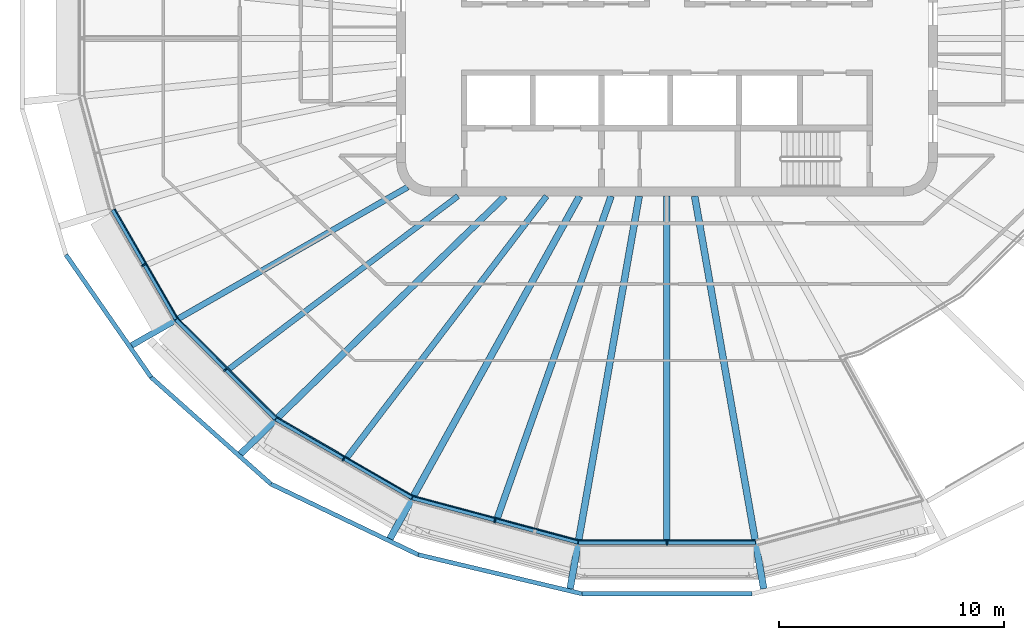
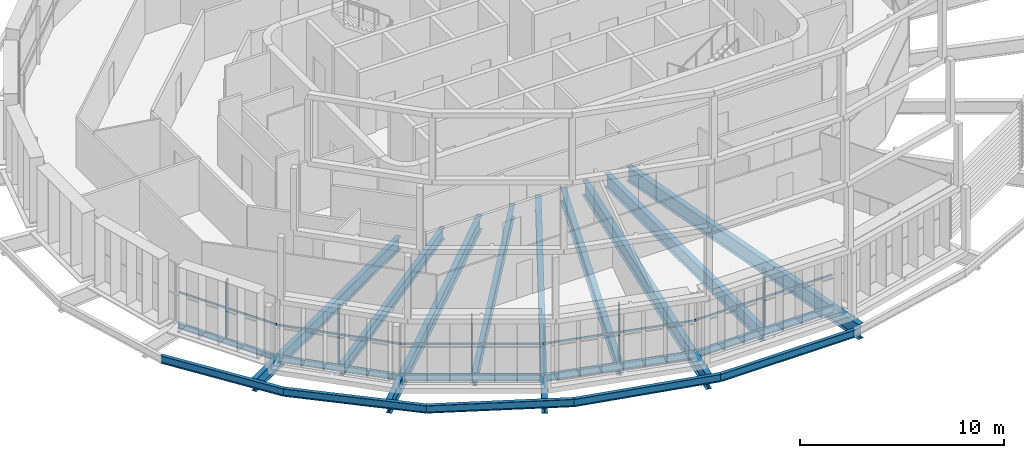
# One storey, part 1 of 18: 19 beams, 10 members, 5 elements without a shape of their own.
"""IFC4 building model written with IfcOpenShell, lengths in metres."""

from ifc_helpers import new_model, si_unit, direction, frame, origin, origin_2d, place, context, subcontext, project, spatial, rectangle, i_section, extrude, material, layer, layer_set, material_profile, profile_set, type_object, element, aggregate, save


model = new_model("IFC4")

# Units and contexts
model_context = context("Model", 3, precision=1e-05, world=origin(), true_north=direction((0.0, 1.0)))
body_context = subcontext(model_context, "Body", "Model", "MODEL_VIEW")
ifc_project = project(units=[si_unit("LENGTHUNIT", "METRE"), si_unit("AREAUNIT", "SQUARE_METRE"), si_unit("VOLUMEUNIT", "CUBIC_METRE"), si_unit("PLANEANGLEUNIT", "RADIAN"), si_unit("MASSUNIT", "GRAM", prefix="KILO")], contexts=[model_context])

# Site, building, storey
site_placement = place(None, origin())
site = spatial("IfcSite", under=ifc_project, at=site_placement, CompositionType="ELEMENT")
building_placement = place(site_placement, origin())
building = spatial("IfcBuilding", under=site, at=building_placement, Name="Sahrelin Media Tower", CompositionType="ELEMENT")
storey_placement = place(building_placement, frame((0.0, 0.0, 308.39990234375)))
storey = spatial("IfcBuildingStorey", under=building, at=storey_placement, Name="L68", CompositionType="ELEMENT", Elevation=308.39990234375)

# Beams
ifc_material_1 = material(Name="Steel S355", Category="steel")
ifc_material_profile_1 = material_profile(ifc_material_1, i_section(OverallWidth=0.1650390625, OverallDepth=0.303466796875, WebThickness=0.006103515625, FlangeThickness=0.01025390625, FilletRadius=0.0087890625, at=origin_2d()), Name="UB 305x165x40")
ifc_profile_set_1 = profile_set([ifc_material_profile_1], Name="Steel S355")
beam_type_1 = type_object("IfcBeamType", Name="Edge beam EB2", PredefinedType="BEAM", material=ifc_profile_set_1)
beam_1_placement = place(storey_placement, frame((-21.78857421875, -12.460693359375, -0.301513671875), z_axis=(-0.500004352405, 0.866022890907, 0.0), x_axis=(-0.866022890907, -0.500004352405, 0.0)))
element("IfcBeam", 1, at=beam_1_placement, inside=storey, type_object=beam_type_1, Name="Edge beam L68-07", PredefinedType="BEAM", context=body_context, shape_type="SweptSolid", body=[
    extrude(i_section(OverallWidth=0.1650390625, OverallDepth=0.303466796875, WebThickness=0.006103515625, FlangeThickness=0.01025390625, FilletRadius=0.0087890625, at=origin_2d()), origin(), (0.0, 0.0, 1.0), 5.59765625),
])
ifc_material_profile_2 = material_profile(ifc_material_1, i_section(OverallWidth=0.17138671875, OverallDepth=0.35498046875, WebThickness=0.00732421875, FlangeThickness=0.011474609375, FilletRadius=0.01025390625, at=origin_2d()), Name="UB 356x171x51")
ifc_profile_set_2 = profile_set([ifc_material_profile_2], Name="Steel S355")
beam_type_2 = type_object("IfcBeamType", Name="Edge beam EB3", PredefinedType="BEAM", material=ifc_profile_set_2)
beam_2_placement = place(storey_placement, frame((-11.31884765625, -20.382080078125, -0.327392578125), z_axis=(-0.866025013567, 0.500000675876, 0.0), x_axis=(-0.500000675876, -0.866025013567, 0.0)))
element("IfcBeam", 2, at=beam_2_placement, inside=storey, type_object=beam_type_2, Name="Edge beam L68-05", PredefinedType="BEAM", context=body_context, shape_type="SweptSolid", body=[
    extrude(i_section(OverallWidth=0.17138671875, OverallDepth=0.35498046875, WebThickness=0.00732421875, FlangeThickness=0.011474609375, FilletRadius=0.01025390625, at=origin_2d()), origin(), (0.0, 0.0, 1.0), 6.962890625),
])
beam_3_placement = place(storey_placement, frame((-17.37158203125, -16.883056640625, -0.327392578125), z_axis=(-0.707106781187, 0.707106781187, 0.0), x_axis=(-0.707106781187, -0.707106781187, 0.0)))
element("IfcBeam", 3, at=beam_3_placement, inside=storey, type_object=beam_type_2, Name="Edge beam L68-06", PredefinedType="BEAM", context=body_context, shape_type="SweptSolid", body=[
    extrude(i_section(OverallWidth=0.17138671875, OverallDepth=0.35498046875, WebThickness=0.00732421875, FlangeThickness=0.011474609375, FilletRadius=0.01025390625, at=origin_2d()), origin(), (0.0, 0.0, 1.0), 6.2216796875),
])
ifc_material_profile_3 = material_profile(ifc_material_1, i_section(OverallWidth=0.177978515625, OverallDepth=0.406494140625, WebThickness=0.0078125, FlangeThickness=0.0126953125, FilletRadius=0.01025390625, at=origin_2d()), Name="UB 406x178x60")
ifc_profile_set_3 = profile_set([ifc_material_profile_3], Name="Steel S355")
beam_type_3 = type_object("IfcBeamType", Name="Edge beam EB4", PredefinedType="BEAM", material=ifc_profile_set_3)
beam_4_placement = place(storey_placement, frame((3.92578125, -22.363037109375, -0.35302734375), z_axis=(-1.0, 0.0, 0.0), x_axis=(0.0, -1.0, 0.0)))
element("IfcBeam", 4, at=beam_4_placement, inside=storey, type_object=beam_type_3, Name="Edge beam L68-03", PredefinedType="BEAM", context=body_context, shape_type="SweptSolid", body=[
    extrude(i_section(OverallWidth=0.177978515625, OverallDepth=0.406494140625, WebThickness=0.0078125, FlangeThickness=0.0126953125, FilletRadius=0.01025390625, at=origin_2d()), origin(), (0.0, 0.0, 1.0), 7.8515625),
])
beam_5_placement = place(storey_placement, frame((-3.954345703125, -22.359130859375, -0.35302734375), z_axis=(-0.965929690155, 0.258804624528, 0.0), x_axis=(-0.258804624528, -0.965929690155, 0.0)))
element("IfcBeam", 5, at=beam_5_placement, inside=storey, type_object=beam_type_3, Name="Edge beam L68-04", PredefinedType="BEAM", context=body_context, shape_type="SweptSolid", body=[
    extrude(i_section(OverallWidth=0.177978515625, OverallDepth=0.406494140625, WebThickness=0.0078125, FlangeThickness=0.0126953125, FilletRadius=0.01025390625, at=origin_2d()), origin(), (0.0, 0.0, 1.0), 7.5966796875),
])

# Curtain wall, member
ifc_material_2 = material(Name="Champagne anodised aluminium 6063-T6", Category="aluminium")
ifc_layer = layer(ifc_material_2, 0.14990234375)
ifc_layer_set = layer_set([ifc_layer], Name="Tower ribbon curtain wall")
curtain_wall_type = type_object("IfcCurtainWallType", Name="Tower ribbon curtain wall", PredefinedType="NOTDEFINED", material=ifc_layer_set)
curtain_wall_1_placement = place(storey_placement, frame((-23.31787109375, -10.11181640625, 0.0), z_axis=(0.0, 0.0, 1.0), x_axis=(1.0, 0.0, 0.0)))
curtain_wall_1 = element("IfcCurtainWall", 6, at=curtain_wall_1_placement, inside=storey, type_object=curtain_wall_type, Name="L68:CW:L68-14", PredefinedType="NOTDEFINED")
ifc_material_profile_4 = material_profile(ifc_material_2, rectangle(XDim=0.06005859375, YDim=0.199951171875, at=origin_2d()), Name="Mullion 60x200")
ifc_profile_set_4 = profile_set([ifc_material_profile_4], Name="Champagne anodised aluminium 6063-T6")
member_type_1 = type_object("IfcMemberType", Name="Mullion 60x200 CW1C", PredefinedType="MULLION", material=ifc_profile_set_4)
member_1_placement = place(storey_placement, frame((-23.214111328125, -10.052001953125, 0.0), z_axis=(0.0, 0.0, 1.0), x_axis=(0.499990930976, -0.866030639725, 0.0)))
member_1 = element("IfcMember", 7, at=member_1_placement, type_object=member_type_1, Name="L68:CWM:L68-14", PredefinedType="MULLION", context=body_context, shape_type="SweptSolid", body=[
    extrude(rectangle(XDim=0.06005859375, YDim=0.199951171875, at=origin_2d()), origin(), (0.0, 0.0, 1.0), 3.44873046875),
])

curtain_wall_2_placement = place(storey_placement, frame((-19.677490234375, -14.789306640625, 0.0), z_axis=(0.0, 0.0, 1.0), x_axis=(1.0, 0.0, 0.0)))
curtain_wall_2 = element("IfcCurtainWall", 8, at=curtain_wall_2_placement, inside=storey, type_object=curtain_wall_type, Name="L68:CW:L68-15", PredefinedType="NOTDEFINED")
member_2_placement = place(storey_placement, frame((-19.592529296875, -14.70458984375, 0.0), z_axis=(0.0, 0.0, 1.0), x_axis=(0.707106781187, -0.707106781187, 0.0)))
member_2 = element("IfcMember", 9, at=member_2_placement, type_object=member_type_1, Name="L68:CWM:L68-15", PredefinedType="MULLION", context=body_context, shape_type="SweptSolid", body=[
    extrude(rectangle(XDim=0.06005859375, YDim=0.199951171875, at=origin_2d()), origin(), (0.0, 0.0, 1.0), 3.44873046875),
])

curtain_wall_3_placement = place(storey_placement, frame((-14.408935546875, -18.771240234375, 0.0), z_axis=(0.0, 0.0, 1.0), x_axis=(1.0, 0.0, 0.0)))
curtain_wall_3 = element("IfcCurtainWall", 10, at=curtain_wall_3_placement, inside=storey, type_object=curtain_wall_type, Name="L68:CW:L68-16", PredefinedType="NOTDEFINED")
member_3_placement = place(storey_placement, frame((-14.348876953125, -18.667236328125, 0.0), z_axis=(0.0, 0.0, 1.0), x_axis=(0.866028894422, -0.49999395399, 0.0)))
member_3 = element("IfcMember", 11, at=member_3_placement, type_object=member_type_1, Name="L68:CWM:L68-16", PredefinedType="MULLION", context=body_context, shape_type="SweptSolid", body=[
    extrude(rectangle(XDim=0.06005859375, YDim=0.199951171875, at=origin_2d()), origin(), (0.0, 0.0, 1.0), 3.44873046875),
])

curtain_wall_4_placement = place(storey_placement, frame((-7.662109375, -21.52099609375, 0.0), z_axis=(0.0, 0.0, 1.0), x_axis=(1.0, 0.0, 0.0)))
curtain_wall_4 = element("IfcCurtainWall", 12, at=curtain_wall_4_placement, inside=storey, type_object=curtain_wall_type, Name="L68:CW:L68-17", PredefinedType="NOTDEFINED")
member_4_placement = place(storey_placement, frame((-7.631103515625, -21.405029296875, 0.0), z_axis=(0.0, 0.0, 1.0), x_axis=(0.965923115889, -0.25882916024, 0.0)))
member_4 = element("IfcMember", 13, at=member_4_placement, type_object=member_type_1, Name="L68:CWM:L68-17", PredefinedType="MULLION", context=body_context, shape_type="SweptSolid", body=[
    extrude(rectangle(XDim=0.06005859375, YDim=0.199951171875, at=origin_2d()), origin(), (0.0, 0.0, 1.0), 3.44873046875),
])

curtain_wall_5_placement = place(storey_placement, frame((0.0, -22.512939453125, 0.0), z_axis=(0.0, 0.0, 1.0), x_axis=(1.0, 0.0, 0.0)))
curtain_wall_5 = element("IfcCurtainWall", 14, at=curtain_wall_5_placement, inside=storey, type_object=curtain_wall_type, Name="L68:CW:L68-18", PredefinedType="NOTDEFINED")
member_5_placement = place(storey_placement, frame((0.0, -22.39306640625, 0.0), z_axis=(0.0, 0.0, 1.0), x_axis=(1.0, 0.0, 0.0)))
member_5 = element("IfcMember", 15, at=member_5_placement, type_object=member_type_1, Name="L68:CWM:L68-18", PredefinedType="MULLION", context=body_context, shape_type="SweptSolid", body=[
    extrude(rectangle(XDim=0.06005859375, YDim=0.199951171875, at=origin_2d()), origin(), (0.0, 0.0, 1.0), 3.44873046875),
])

# Beams
ifc_material_profile_5 = material_profile(ifc_material_1, i_section(OverallWidth=0.291748046875, OverallDepth=0.8349609375, WebThickness=0.013916015625, FlangeThickness=0.018798828125, FilletRadius=0.017822265625, at=origin_2d()), Name="UB 838x292x176")
ifc_profile_set_5 = profile_set([ifc_material_profile_5], Name="Steel S355")
beam_type_4 = type_object("IfcBeamType", Name="Radial primary beam PB10", PredefinedType="BEAM", material=ifc_profile_set_5)
beam_6_placement = place(storey_placement, frame((-7.18115234375, -7.0, -0.5673828125), z_axis=(-0.716079394393, -0.69801883995, 0.0), x_axis=(0.69801883995, -0.716079394393, 0.0)))
element("IfcBeam", 16, at=beam_6_placement, inside=storey, type_object=beam_type_4, Name="Radial beam L68-16", PredefinedType="BEAM", context=body_context, shape_type="SweptSolid", body=[
    extrude(i_section(OverallWidth=0.291748046875, OverallDepth=0.8349609375, WebThickness=0.013916015625, FlangeThickness=0.018798828125, FilletRadius=0.017822265625, at=origin_2d()), origin(), (0.0, 0.0, 1.0), 16.397216796875),
])
ifc_material_profile_6 = material_profile(ifc_material_1, i_section(OverallWidth=0.30322265625, OverallDepth=0.903076171875, WebThickness=0.01513671875, FlangeThickness=0.020263671875, FilletRadius=0.01904296875, at=origin_2d()), Name="UB 914x305x201")
ifc_profile_set_6 = profile_set([ifc_material_profile_6], Name="Steel S355")
beam_type_5 = type_object("IfcBeamType", Name="Radial primary beam PB11", PredefinedType="BEAM", material=ifc_profile_set_6)
beam_7_placement = place(storey_placement, frame((-3.875, -7.0, -0.601318359375), z_axis=(-0.484314730832, -0.874893845846, 0.0), x_axis=(0.874893845846, -0.484314730832, 0.0)))
element("IfcBeam", 17, at=beam_7_placement, inside=storey, type_object=beam_type_5, Name="Radial beam L68-17", PredefinedType="BEAM", context=body_context, shape_type="SweptSolid", body=[
    extrude(i_section(OverallWidth=0.30322265625, OverallDepth=0.903076171875, WebThickness=0.01513671875, FlangeThickness=0.020263671875, FilletRadius=0.01904296875, at=origin_2d()), origin(), (0.0, 0.0, 1.0), 17.377685546875),
])
for number, where, z_axis, x_axis, name in (
    (18, (-1.231201171875, -7.0, -0.601318359375), (-0.173245997307, -0.984878583591, 0.0), (0.984878583591, -0.173245997307, 0.0), "Radial beam L68-18"),
    (19, (1.231201171875, -7.0, -0.601318359375), (0.173245997307, -0.984878583591, 0.0), (0.984878583591, 0.173245997307, 0.0), "Radial beam L68-19"),
):
    element("IfcBeam", number, at=place(storey_placement, frame(where, z_axis=z_axis, x_axis=x_axis)), inside=storey, type_object=beam_type_5, Name=name, PredefinedType="BEAM", context=body_context, shape_type="SweptSolid", body=[
        extrude(i_section(OverallWidth=0.30322265625, OverallDepth=0.903076171875, WebThickness=0.01513671875, FlangeThickness=0.020263671875, FilletRadius=0.01904296875, at=origin_2d()), origin(), (0.0, 0.0, 1.0), 17.68994140625),
    ])
ifc_material_profile_7 = material_profile(ifc_material_1, i_section(OverallWidth=0.26513671875, OverallDepth=0.75390625, WebThickness=0.0126953125, FlangeThickness=0.017578125, FilletRadius=0.0166015625, at=origin_2d()), Name="UB 762x267x147")
ifc_profile_set_7 = profile_set([ifc_material_profile_7], Name="Steel S355")
beam_type_6 = type_object("IfcBeamType", Name="Radial primary beam PB9", PredefinedType="BEAM", material=ifc_profile_set_7)
beam_8_placement = place(storey_placement, frame((-11.507080078125, -6.601806640625, -0.52685546875), z_axis=(-0.86737459945, -0.497655808998, 0.0), x_axis=(0.497655808998, -0.86737459945, 0.0)))
element("IfcBeam", 20, at=beam_8_placement, inside=storey, type_object=beam_type_6, Name="Radial beam L68-15", PredefinedType="BEAM", context=body_context, shape_type="SweptSolid", body=[
    extrude(i_section(OverallWidth=0.26513671875, OverallDepth=0.75390625, WebThickness=0.0126953125, FlangeThickness=0.017578125, FilletRadius=0.0166015625, at=origin_2d()), origin(), (0.0, 0.0, 1.0), 14.119384765625),
])
ifc_material_profile_8 = material_profile(ifc_material_1, i_section(OverallWidth=0.291748046875, OverallDepth=0.8349609375, WebThickness=0.013916015625, FlangeThickness=0.018798828125, FilletRadius=0.017822265625, at=origin_2d()), Name="UB 838x292x176")
ifc_profile_set_8 = profile_set([ifc_material_profile_8], Name="Steel S355")
beam_type_7 = type_object("IfcBeamType", Name="Radial secondary beam SB10", PredefinedType="BEAM", material=ifc_profile_set_8)
beam_9_placement = place(storey_placement, frame((-2.47509765625, -7.0, -0.5673828125), z_axis=(-0.333328328269, -0.942810811125, 0.0), x_axis=(0.942810811125, -0.333328328269, 0.0)))
element("IfcBeam", 21, at=beam_9_placement, inside=storey, type_object=beam_type_7, Name="Secondary beam L68-17", PredefinedType="BEAM", context=body_context, shape_type="SweptSolid", body=[
    extrude(i_section(OverallWidth=0.291748046875, OverallDepth=0.8349609375, WebThickness=0.013916015625, FlangeThickness=0.018798828125, FilletRadius=0.017822265625, at=origin_2d()), origin(), (0.0, 0.0, 1.0), 15.176025390625),
])
beam_10_placement = place(storey_placement, frame((0.0, -7.0, -0.5673828125), z_axis=(0.0, -1.0, 0.0), x_axis=(1.0, 0.0, 0.0)))
element("IfcBeam", 22, at=beam_10_placement, inside=storey, type_object=beam_type_7, Name="Secondary beam L68-18", PredefinedType="BEAM", context=body_context, shape_type="SweptSolid", body=[
    extrude(i_section(OverallWidth=0.291748046875, OverallDepth=0.8349609375, WebThickness=0.013916015625, FlangeThickness=0.018798828125, FilletRadius=0.017822265625, at=origin_2d()), origin(), (0.0, 0.0, 1.0), 15.274169921875),
])
ifc_material_profile_9 = material_profile(ifc_material_1, i_section(OverallWidth=0.2529296875, OverallDepth=0.677978515625, WebThickness=0.01171875, FlangeThickness=0.01611328125, FilletRadius=0.01513671875, at=origin_2d()), Name="UB 686x254x125")
ifc_profile_set_9 = profile_set([ifc_material_profile_9], Name="Steel S355")
beam_type_8 = type_object("IfcBeamType", Name="Radial secondary beam SB8", PredefinedType="BEAM", material=ifc_profile_set_9)
beam_11_placement = place(storey_placement, frame((-9.270263671875, -7.0, -0.489013671875), z_axis=(-0.798045502139, -0.602597192589, 0.0), x_axis=(0.602597192589, -0.798045502139, 0.0)))
element("IfcBeam", 23, at=beam_11_placement, inside=storey, type_object=beam_type_8, Name="Secondary beam L68-15", PredefinedType="BEAM", context=body_context, shape_type="SweptSolid", body=[
    extrude(i_section(OverallWidth=0.2529296875, OverallDepth=0.677978515625, WebThickness=0.01171875, FlangeThickness=0.01611328125, FilletRadius=0.01513671875, at=origin_2d()), origin(), (0.0, 0.0, 1.0), 12.753662109375),
])
ifc_material_profile_10 = material_profile(ifc_material_1, i_section(OverallWidth=0.26513671875, OverallDepth=0.75390625, WebThickness=0.0126953125, FlangeThickness=0.017578125, FilletRadius=0.0166015625, at=origin_2d()), Name="UB 762x267x147")
ifc_profile_set_10 = profile_set([ifc_material_profile_10], Name="Steel S355")
beam_type_9 = type_object("IfcBeamType", Name="Radial secondary beam SB9", PredefinedType="BEAM", material=ifc_profile_set_10)
beam_12_placement = place(storey_placement, frame((-5.342041015625, -7.0, -0.52685546875), z_axis=(-0.60668637897, -0.794941279324, 0.0), x_axis=(0.794941279324, -0.60668637897, 0.0)))
element("IfcBeam", 24, at=beam_12_placement, inside=storey, type_object=beam_type_9, Name="Secondary beam L68-16", PredefinedType="BEAM", context=body_context, shape_type="SweptSolid", body=[
    extrude(i_section(OverallWidth=0.26513671875, OverallDepth=0.75390625, WebThickness=0.0126953125, FlangeThickness=0.017578125, FilletRadius=0.0166015625, at=origin_2d()), origin(), (0.0, 0.0, 1.0), 14.61181640625),
])
ifc_material_profile_11 = material_profile(ifc_material_1, i_section(OverallWidth=0.1904296875, OverallDepth=0.45703125, WebThickness=0.009033203125, FlangeThickness=0.014404296875, FilletRadius=0.01025390625, at=origin_2d()), Name="UB 457x191x74")
ifc_profile_set_11 = profile_set([ifc_material_profile_11], Name="Steel S355")
beam_type_10 = type_object("IfcBeamType", Name="Tie chord TC5", PredefinedType="BEAM", material=ifc_profile_set_11)
beam_13_placement = place(storey_placement, frame((-26.664306640625, -9.606689453125, -0.37841796875), z_axis=(0.570612314309, -0.821219572806, 0.0), x_axis=(0.821219572806, 0.570612314309, 0.0)))
element("IfcBeam", 25, at=beam_13_placement, inside=storey, type_object=beam_type_10, Name="Tie chord L68-14", PredefinedType="BEAM", context=body_context, shape_type="SweptSolid", body=[
    extrude(i_section(OverallWidth=0.1904296875, OverallDepth=0.45703125, WebThickness=0.009033203125, FlangeThickness=0.014404296875, FilletRadius=0.01025390625, at=origin_2d()), origin(), (0.0, 0.0, 1.0), 6.61376953125),
])
beam_14_placement = place(storey_placement, frame((-22.890380859375, -15.0380859375, -0.37841796875), z_axis=(0.746646529898, -0.665220985381, 0.0), x_axis=(0.665220985381, 0.746646529898, 0.0)))
element("IfcBeam", 26, at=beam_14_placement, inside=storey, type_object=beam_type_10, Name="Tie chord L68-15", PredefinedType="BEAM", context=body_context, shape_type="SweptSolid", body=[
    extrude(i_section(OverallWidth=0.1904296875, OverallDepth=0.45703125, WebThickness=0.009033203125, FlangeThickness=0.014404296875, FilletRadius=0.01025390625, at=origin_2d()), origin(), (0.0, 0.0, 1.0), 7.12109375),
])
beam_15_placement = place(storey_placement, frame((-17.573486328125, -19.775146484375, -0.37841796875), z_axis=(0.90162182646, -0.432525238629, 0.0), x_axis=(0.432525238629, 0.90162182646, 0.0)))
element("IfcBeam", 27, at=beam_15_placement, inside=storey, type_object=beam_type_10, Name="Tie chord L68-16", PredefinedType="BEAM", context=body_context, shape_type="SweptSolid", body=[
    extrude(i_section(OverallWidth=0.1904296875, OverallDepth=0.45703125, WebThickness=0.009033203125, FlangeThickness=0.014404296875, FilletRadius=0.01025390625, at=origin_2d()), origin(), (0.0, 0.0, 1.0), 7.249755859375),
])
beam_16_placement = place(storey_placement, frame((-11.036865234375, -22.910888671875, -0.37841796875), z_axis=(0.972666766024, -0.232205431184, 0.0), x_axis=(0.232205431184, 0.972666766024, 0.0)))
element("IfcBeam", 28, at=beam_16_placement, inside=storey, type_object=beam_type_10, Name="Tie chord L68-17", PredefinedType="BEAM", context=body_context, shape_type="SweptSolid", body=[
    extrude(i_section(OverallWidth=0.1904296875, OverallDepth=0.45703125, WebThickness=0.009033203125, FlangeThickness=0.014404296875, FilletRadius=0.01025390625, at=origin_2d()), origin(), (0.0, 0.0, 1.0), 7.467041015625),
])
beam_17_placement = place(storey_placement, frame((-3.77392578125, -24.644775390625, -0.37841796875), z_axis=(1.0, 0.0, 0.0), x_axis=(0.0, 1.0, 0.0)))
element("IfcBeam", 29, at=beam_17_placement, inside=storey, type_object=beam_type_10, Name="Tie chord L68-18", PredefinedType="BEAM", context=body_context, shape_type="SweptSolid", body=[
    extrude(i_section(OverallWidth=0.1904296875, OverallDepth=0.45703125, WebThickness=0.009033203125, FlangeThickness=0.014404296875, FilletRadius=0.01025390625, at=origin_2d()), origin(), (0.0, 0.0, 1.0), 7.5478515625),
])

# Member
ifc_material_profile_12 = material_profile(ifc_material_2, rectangle(XDim=0.050048828125, YDim=0.1201171875, at=origin_2d()), Name="Transom 50x120")
ifc_profile_set_12 = profile_set([ifc_material_profile_12], Name="Champagne anodised aluminium 6063-T6")
member_type_2 = type_object("IfcMemberType", Name="Transom 50x120 CW1C", PredefinedType="USERDEFINED", material=ifc_profile_set_12)
member_6_placement = place(storey_placement, frame((-24.497314453125, -7.5791015625, 1.60009765625), z_axis=(0.500007201891, -0.866021245731, 0.0), x_axis=(0.866021245731, 0.500007201891, 0.0)))
member_6 = element("IfcMember", 30, at=member_6_placement, type_object=member_type_2, Name="L68:CWT:L68-14", ObjectType="TRANSOM", PredefinedType="USERDEFINED", context=body_context, shape_type="SweptSolid", body=[
    extrude(rectangle(XDim=0.050048828125, YDim=0.1201171875, at=origin_2d()), origin(), (0.0, 0.0, 1.0), 5.56640625),
])

aggregate(curtain_wall_1, [member_1, member_6])

member_7_placement = place(storey_placement, frame((-21.69287109375, -12.427490234375, 1.60009765625), z_axis=(0.707106781187, -0.707106781187, 0.0), x_axis=(0.707106781187, 0.707106781187, 0.0)))
member_7 = element("IfcMember", 31, at=member_7_placement, type_object=member_type_2, Name="L68:CWT:L68-15", ObjectType="TRANSOM", PredefinedType="USERDEFINED", context=body_context, shape_type="SweptSolid", body=[
    extrude(rectangle(XDim=0.050048828125, YDim=0.1201171875, at=origin_2d()), origin(), (0.0, 0.0, 1.0), 6.190185546875),
])

aggregate(curtain_wall_2, [member_2, member_7])

member_8_placement = place(storey_placement, frame((-17.28759765625, -16.826171875, 1.60009765625), z_axis=(0.866030148178, -0.49999178238, 0.0), x_axis=(0.49999178238, 0.866030148178, 0.0)))
member_8 = element("IfcMember", 32, at=member_8_placement, type_object=member_type_2, Name="L68:CWT:L68-16", ObjectType="TRANSOM", PredefinedType="USERDEFINED", context=body_context, shape_type="SweptSolid", body=[
    extrude(rectangle(XDim=0.050048828125, YDim=0.1201171875, at=origin_2d()), origin(), (0.0, 0.0, 1.0), 6.93115234375),
])

aggregate(curtain_wall_3, [member_3, member_8])

member_9_placement = place(storey_placement, frame((-11.25244140625, -20.305419921875, 1.60009765625), z_axis=(0.965925723654, -0.258819428142, 0.0), x_axis=(0.258819428142, 0.965925723654, 0.0)))
member_9 = element("IfcMember", 33, at=member_9_placement, type_object=member_type_2, Name="L68:CWT:L68-17", ObjectType="TRANSOM", PredefinedType="USERDEFINED", context=body_context, shape_type="SweptSolid", body=[
    extrude(rectangle(XDim=0.050048828125, YDim=0.1201171875, at=origin_2d()), origin(), (0.0, 0.0, 1.0), 7.565185546875),
])

aggregate(curtain_wall_4, [member_4, member_9])

member_10_placement = place(storey_placement, frame((-3.91015625, -22.26806640625, 1.60009765625), z_axis=(1.0, 0.0, 0.0), x_axis=(0.0, 1.0, 0.0)))
member_10 = element("IfcMember", 34, at=member_10_placement, type_object=member_type_2, Name="L68:CWT:L68-18", ObjectType="TRANSOM", PredefinedType="USERDEFINED", context=body_context, shape_type="SweptSolid", body=[
    extrude(rectangle(XDim=0.050048828125, YDim=0.1201171875, at=origin_2d()), origin(), (0.0, 0.0, 1.0), 7.8203125),
])

aggregate(curtain_wall_5, [member_5, member_10])

save(model, "model.ifc")
